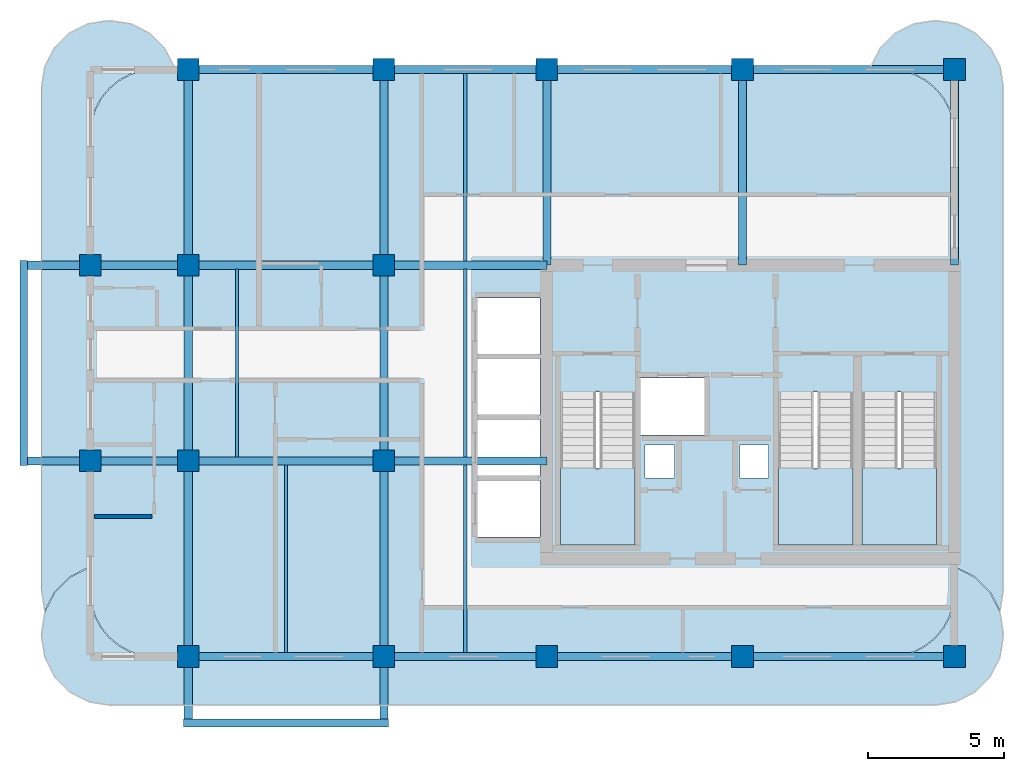
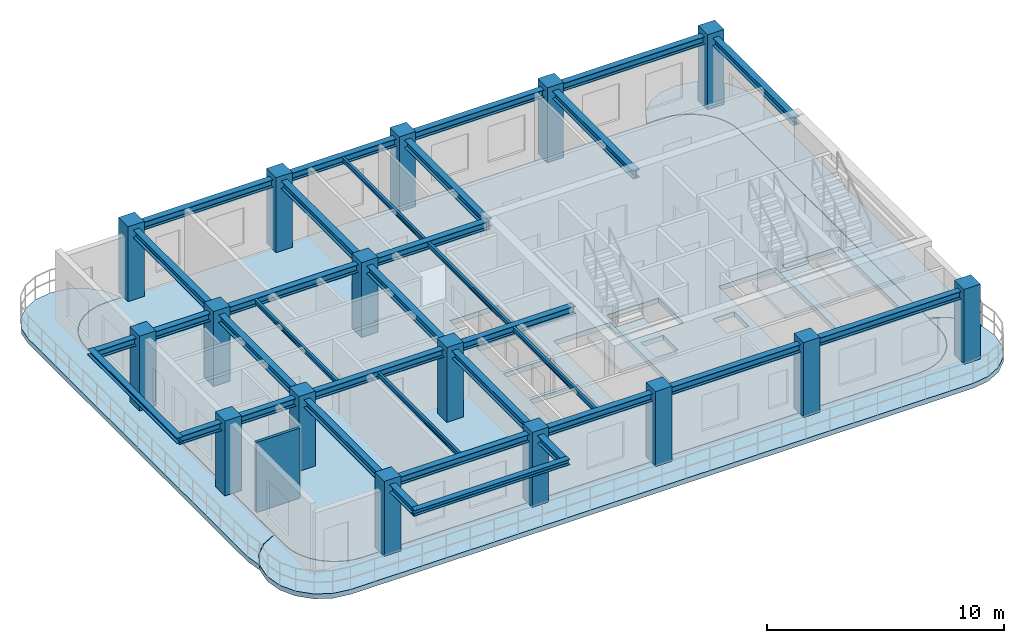
# One storey, part 1 of 7: 28 beams, 16 columns, 7 slabs, 1 wall, 3 elements without a shape of their own.
"""IFC4 building model written with IfcOpenShell, lengths in metres."""

from ifc_helpers import new_model, si_unit, derived_unit, direction, frame, frame_2d, origin, origin_2d, place, context, subcontext, project, spatial, polyline, rectangle, i_section, outline, extrude, source, transform, mapped, material, layer, layer_set, material_profile, profile_set, type_object, type_shapes, element, aggregate, save


model = new_model("IFC4")

# Units and contexts
model_context = context("Model", 3, precision=1e-05, world=origin(), true_north=direction((0.0, 1.0)))
body_context = subcontext(model_context, "Body", "Model", "MODEL_VIEW")
ifc_project = project(units=[si_unit("LENGTHUNIT", "METRE"), si_unit("AREAUNIT", "SQUARE_METRE"), si_unit("VOLUMEUNIT", "CUBIC_METRE"), si_unit("PLANEANGLEUNIT", "RADIAN"), si_unit("MASSUNIT", "GRAM", prefix="KILO"), si_unit("THERMODYNAMICTEMPERATUREUNIT", "KELVIN"), si_unit("POWERUNIT", "WATT"), derived_unit("THERMALTRANSMITTANCEUNIT", [(si_unit("POWERUNIT", "WATT"), 1), (si_unit("AREAUNIT", "SQUARE_METRE"), -1), (si_unit("THERMODYNAMICTEMPERATUREUNIT", "KELVIN"), -1)])], contexts=[model_context])

# Site, building, storey
site_placement = place(None, origin())
site = spatial("IfcSite", under=ifc_project, at=site_placement, CompositionType="ELEMENT")
building_placement = place(site_placement, origin())
building = spatial("IfcBuilding", under=site, at=building_placement, Name="Zahravan Archway Hotel and Residences", CompositionType="ELEMENT")
storey_placement = place(building_placement, frame((0.0, 0.0, 259.64990234375)))
storey = spatial("IfcBuildingStorey", under=building, at=storey_placement, Name="L65", CompositionType="ELEMENT", Elevation=259.64990234375)

# Columns
ifc_material_1 = material(Name="Concrete C50/60", Category="concrete")
ifc_material_profile_1 = material_profile(ifc_material_1, rectangle(XDim=0.800048828125, YDim=0.800048828125, at=origin_2d()), Name="RC-COL-800x800", Category="concrete")
ifc_profile_set_1 = profile_set([ifc_material_profile_1], Name="Concrete C50/60")
column_type = type_object("IfcColumnType", Name="COL-RC-800", PredefinedType="COLUMN", material=ifc_profile_set_1)
shared_shape_1 = source(origin(), body_context, "Body", "SweptSolid", [
    extrude(rectangle(XDim=0.800048828125, YDim=0.800048828125, at=origin_2d()), origin(), (0.0, 0.0, 1.0), 3.85009765625),
])
for number, where, z_axis, x_axis, name in (
    (1, (21.60009765625, 0.0, 0.0), (0.0, 0.0, 1.0), (1.0, 0.0, 0.0), "L65 Column 4-A"),
    (2, (21.60009765625, 7.199951171875, 0.0), (0.0, 0.0, 1.0), (1.0, 0.0, 0.0), "L65 Column 4-B"),
    (3, (21.60009765625, 14.39990234375, 0.0), (0.0, 0.0, 1.0), (1.0, 0.0, 0.0), "L65 Column 4-C"),
    (4, (21.60009765625, 21.60009765625, 0.0), (0.0, 0.0, 1.0), (1.0, 0.0, 0.0), "L65 Column 4-D"),
    (5, (28.800048828125, 0.0, 0.0), (0.0, 0.0, 1.0), (1.0, 0.0, 0.0), "L65 Column 5-A"),
    (6, (28.800048828125, 7.199951171875, 0.0), (0.0, 0.0, 1.0), (1.0, 0.0, 0.0), "L65 Column 5-B"),
    (7, (28.800048828125, 14.39990234375, 0.0), (0.0, 0.0, 1.0), (1.0, 0.0, 0.0), "L65 Column 5-C"),
    (8, (28.800048828125, 21.60009765625, 0.0), (0.0, 0.0, 1.0), (1.0, 0.0, 0.0), "L65 Column 5-D"),
    (9, (34.800048828125, 0.0, 0.0), (0.0, 0.0, 1.0), (1.0, 0.0, 0.0), "L65 Column 6-A"),
    (10, (34.800048828125, 21.60009765625, 0.0), (0.0, 0.0, 1.0), (1.0, 0.0, 0.0), "L65 Column 6-D"),
    (11, (42.0, 0.0, 0.0), (0.0, 0.0, 1.0), (1.0, 0.0, 0.0), "L65 Column 7-A"),
    (12, (42.0, 21.60009765625, 0.0), (0.0, 0.0, 1.0), (1.0, 0.0, 0.0), "L65 Column 7-D"),
    (13, (49.800048828125, 0.0, 0.0), (0.0, 0.0, 1.0), (1.0, 0.0, 0.0), "L65 Column 8-A"),
    (14, (49.800048828125, 21.60009765625, 0.0), (0.0, 0.0, 1.0), (1.0, 0.0, 0.0), "L65 Column 8-D"),
    (15, (18.0, 7.199951171875, 0.0), (0.0, 0.0, 1.0), (1.0, 0.0, 0.0), "L65 Column 3W-B"),
    (16, (18.0, 14.39990234375, 0.0), (0.0, 0.0, 1.0), (1.0, 0.0, 0.0), "L65 Column 3W-C"),
):
    element("IfcColumn", number, at=place(storey_placement, frame(where, z_axis=z_axis, x_axis=x_axis)), inside=storey, type_object=column_type, Name=name, PredefinedType="COLUMN", context=body_context, shape_type="MappedRepresentation", body=[
        mapped(shared_shape_1, transform((0.0, 0.0, 0.0), scale=1.0)),
    ])

# Beams
ifc_material_2 = material(Name="Structural Steel S355JR", Category="steel")
ifc_material_profile_2 = material_profile(ifc_material_2, i_section(OverallWidth=0.280029296875, OverallDepth=0.280029296875, WebThickness=0.010498046875, FlangeThickness=0.01806640625, FilletRadius=0.02392578125, at=origin_2d()), Name="HEB 280", Category="steel")
ifc_profile_set_2 = profile_set([ifc_material_profile_2], Name="Structural Steel S355JR")
beam_type_1 = type_object("IfcBeamType", Name="BM-SPN-HEB280", PredefinedType="SPANDREL", material=ifc_profile_set_2)
shared_shape_2 = source(origin(), body_context, "Body", "SweptSolid", [
    extrude(i_section(OverallWidth=0.280029296875, OverallDepth=0.280029296875, WebThickness=0.010498046875, FlangeThickness=0.01806640625, FilletRadius=0.02392578125, at=origin_2d()), origin(), (0.0, 0.0, 1.0), 7.56005859375),
])
type_shapes(beam_type_1, [shared_shape_2])
for number, where, z_axis, x_axis, name in (
    (17, (15.550048828125, 7.02001953125, 3.460205078125), (0.0, 1.0, 0.0), (-1.0, 0.0, 0.0), "L66 WA Balcony Edge Spandrel"),
    (18, (21.419921875, -2.449951171875, 3.460205078125), (1.0, 0.0, 0.0), (0.0, 1.0, 0.0), "L66 SA Balcony Edge Spandrel"),
):
    element("IfcBeam", number, at=place(storey_placement, frame(where, z_axis=z_axis, x_axis=x_axis)), inside=storey, type_object=beam_type_1, Name=name, PredefinedType="SPANDREL", context=body_context, shape_type="MappedRepresentation", body=[
        mapped(shared_shape_2, transform((0.0, 0.0, 0.0), scale=1.0)),
    ])
ifc_material_profile_3 = material_profile(ifc_material_2, i_section(OverallWidth=0.300048828125, OverallDepth=0.39990234375, WebThickness=0.013427734375, FlangeThickness=0.02392578125, FilletRadius=0.027099609375, at=origin_2d()), Name="HEB 400", Category="steel")
ifc_profile_set_3 = profile_set([ifc_material_profile_3], Name="Structural Steel S355JR")
beam_type_2 = type_object("IfcBeamType", Name="BM-PRI-HEB400", PredefinedType="BEAM", material=ifc_profile_set_3)
shared_shape_3 = source(origin(), body_context, "Body", "SweptSolid", [
    extrude(i_section(OverallWidth=0.300048828125, OverallDepth=0.39990234375, WebThickness=0.013427734375, FlangeThickness=0.02392578125, FilletRadius=0.027099609375, at=origin_2d()), origin(), (0.0, 0.0, 1.0), 7.199951171875),
])
type_shapes(beam_type_2, [shared_shape_3])
for number, where, z_axis, x_axis, name in (
    (19, (21.60009765625, 0.0, 3.400146484375), (1.0, 0.0, 0.0), (0.0, 1.0, 0.0), "L65 Primary Girder EW-01"),
    (20, (34.800048828125, 0.0, 3.400146484375), (1.0, 0.0, 0.0), (0.0, 1.0, 0.0), "L65 Primary Girder EW-03"),
    (21, (21.60009765625, 21.60009765625, 3.400146484375), (1.0, 0.0, 0.0), (0.0, 1.0, 0.0), "L65 Primary Girder EW-09"),
    (22, (34.800048828125, 21.60009765625, 3.400146484375), (1.0, 0.0, 0.0), (0.0, 1.0, 0.0), "L65 Primary Girder EW-11"),
    (23, (21.60009765625, 7.199951171875, 3.400146484375), (0.0, 1.0, 0.0), (-1.0, 0.0, 0.0), "L65 Primary Girder NS-14"),
    (24, (28.800048828125, 7.199951171875, 3.400146484375), (0.0, 1.0, 0.0), (-1.0, 0.0, 0.0), "L65 Primary Girder NS-17"),
):
    element("IfcBeam", number, at=place(storey_placement, frame(where, z_axis=z_axis, x_axis=x_axis)), inside=storey, type_object=beam_type_2, Name=name, PredefinedType="BEAM", context=body_context, shape_type="MappedRepresentation", body=[
        mapped(shared_shape_3, transform((0.0, 0.0, 0.0), scale=1.0)),
    ])
shared_shape_4 = source(origin(), body_context, "Body", "SweptSolid", [
    extrude(i_section(OverallWidth=0.300048828125, OverallDepth=0.39990234375, WebThickness=0.013427734375, FlangeThickness=0.02392578125, FilletRadius=0.027099609375, at=origin_2d()), origin(), (0.0, 0.0, 1.0), 6.0),
])
for number, where, z_axis, x_axis, name in (
    (25, (28.800048828125, 0.0, 3.400146484375), (1.0, 0.0, 0.0), (0.0, 1.0, 0.0), "L65 Primary Girder EW-02"),
    (26, (28.800048828125, 7.199951171875, 3.400146484375), (1.0, 0.0, 0.0), (0.0, 1.0, 0.0), "L65 Primary Girder EW-06"),
    (27, (28.800048828125, 14.39990234375, 3.400146484375), (1.0, 0.0, 0.0), (0.0, 1.0, 0.0), "L65 Primary Girder EW-08"),
    (28, (28.800048828125, 21.60009765625, 3.400146484375), (1.0, 0.0, 0.0), (0.0, 1.0, 0.0), "L65 Primary Girder EW-10"),
):
    element("IfcBeam", number, at=place(storey_placement, frame(where, z_axis=z_axis, x_axis=x_axis)), inside=storey, type_object=beam_type_2, Name=name, PredefinedType="BEAM", context=body_context, shape_type="MappedRepresentation", body=[
        mapped(shared_shape_4, transform((0.0, 0.0, 0.0), scale=1.0)),
    ])
shared_shape_5 = source(origin(), body_context, "Body", "SweptSolid", [
    extrude(i_section(OverallWidth=0.300048828125, OverallDepth=0.39990234375, WebThickness=0.013427734375, FlangeThickness=0.02392578125, FilletRadius=0.027099609375, at=origin_2d()), origin(), (0.0, 0.0, 1.0), 7.800048828125),
])
for number, where, z_axis, x_axis, name in (
    (29, (42.0, 0.0, 3.400146484375), (1.0, 0.0, 0.0), (0.0, 1.0, 0.0), "L65 Primary Girder EW-04"),
    (30, (42.0, 21.60009765625, 3.400146484375), (1.0, 0.0, 0.0), (0.0, 1.0, 0.0), "L65 Primary Girder EW-12"),
):
    element("IfcBeam", number, at=place(storey_placement, frame(where, z_axis=z_axis, x_axis=x_axis)), inside=storey, type_object=beam_type_2, Name=name, PredefinedType="BEAM", context=body_context, shape_type="MappedRepresentation", body=[
        mapped(shared_shape_5, transform((0.0, 0.0, 0.0), scale=1.0)),
    ])
shared_shape_6 = source(origin(), body_context, "Body", "SweptSolid", [
    extrude(i_section(OverallWidth=0.300048828125, OverallDepth=0.39990234375, WebThickness=0.013427734375, FlangeThickness=0.02392578125, FilletRadius=0.027099609375, at=origin_2d()), origin(), (0.0, 0.0, 1.0), 13.25),
])
for number, where, z_axis, x_axis, name in (
    (31, (15.550048828125, 7.199951171875, 3.400146484375), (1.0, 0.0, 0.0), (0.0, 1.0, 0.0), "L65 Primary Girder EW-05"),
    (32, (15.550048828125, 14.39990234375, 3.400146484375), (1.0, 0.0, 0.0), (0.0, 1.0, 0.0), "L65 Primary Girder EW-07"),
):
    element("IfcBeam", number, at=place(storey_placement, frame(where, z_axis=z_axis, x_axis=x_axis)), inside=storey, type_object=beam_type_2, Name=name, PredefinedType="BEAM", context=body_context, shape_type="MappedRepresentation", body=[
        mapped(shared_shape_6, transform((0.0, 0.0, 0.0), scale=1.0)),
    ])
shared_shape_7 = source(origin(), body_context, "Body", "SweptSolid", [
    extrude(i_section(OverallWidth=0.300048828125, OverallDepth=0.39990234375, WebThickness=0.013427734375, FlangeThickness=0.02392578125, FilletRadius=0.027099609375, at=origin_2d()), origin(), (0.0, 0.0, 1.0), 9.64990234375),
])
for number, where, z_axis, x_axis, name in (
    (33, (21.60009765625, -2.449951171875, 3.400146484375), (0.0, 1.0, 0.0), (-1.0, 0.0, 0.0), "L65 Primary Girder NS-13"),
    (34, (28.800048828125, -2.449951171875, 3.400146484375), (0.0, 1.0, 0.0), (-1.0, 0.0, 0.0), "L65 Primary Girder NS-16"),
):
    element("IfcBeam", number, at=place(storey_placement, frame(where, z_axis=z_axis, x_axis=x_axis)), inside=storey, type_object=beam_type_2, Name=name, PredefinedType="BEAM", context=body_context, shape_type="MappedRepresentation", body=[
        mapped(shared_shape_7, transform((0.0, 0.0, 0.0), scale=1.0)),
    ])
shared_shape_8 = source(origin(), body_context, "Body", "SweptSolid", [
    extrude(i_section(OverallWidth=0.300048828125, OverallDepth=0.39990234375, WebThickness=0.013427734375, FlangeThickness=0.02392578125, FilletRadius=0.027099609375, at=origin_2d()), origin(), (0.0, 0.0, 1.0), 7.2001953125),
])
for number, where, z_axis, x_axis, name in (
    (35, (21.60009765625, 14.39990234375, 3.400146484375), (0.0, 1.0, 0.0), (-1.0, 0.0, 0.0), "L65 Primary Girder NS-15"),
    (36, (28.800048828125, 14.39990234375, 3.400146484375), (0.0, 1.0, 0.0), (-1.0, 0.0, 0.0), "L65 Primary Girder NS-18"),
    (37, (34.800048828125, 14.39990234375, 3.400146484375), (0.0, 1.0, 0.0), (-1.0, 0.0, 0.0), "L65 Primary Girder NS-19"),
    (38, (42.0, 14.39990234375, 3.400146484375), (0.0, 1.0, 0.0), (-1.0, 0.0, 0.0), "L65 Primary Girder NS-20"),
    (39, (49.800048828125, 14.39990234375, 3.400146484375), (0.0, 1.0, 0.0), (-1.0, 0.0, 0.0), "L65 Primary Girder NS-21"),
):
    element("IfcBeam", number, at=place(storey_placement, frame(where, z_axis=z_axis, x_axis=x_axis)), inside=storey, type_object=beam_type_2, Name=name, PredefinedType="BEAM", context=body_context, shape_type="MappedRepresentation", body=[
        mapped(shared_shape_8, transform((0.0, 0.0, 0.0), scale=1.0)),
    ])
ifc_material_profile_4 = material_profile(ifc_material_2, i_section(OverallWidth=0.1201171875, OverallDepth=0.239990234375, WebThickness=0.006103515625, FlangeThickness=0.009765625, FilletRadius=0.014892578125, at=origin_2d()), Name="IPE 240", Category="steel")
ifc_profile_set_4 = profile_set([ifc_material_profile_4], Name="Structural Steel S355JR")
beam_type_3 = type_object("IfcBeamType", Name="BM-JST-IPE240", PredefinedType="JOIST", material=ifc_profile_set_4)
shared_shape_9 = source(origin(), body_context, "Body", "SweptSolid", [
    extrude(i_section(OverallWidth=0.1201171875, OverallDepth=0.239990234375, WebThickness=0.006103515625, FlangeThickness=0.009765625, FilletRadius=0.014892578125, at=origin_2d()), origin(), (0.0, 0.0, 1.0), 6.904052734375),
])
type_shapes(beam_type_3, [shared_shape_9])
for number, where, z_axis, x_axis, name in (
    (40, (25.199951171875, 0.14794921875, 3.47998046875), (0.0, 1.0, 0.0), (-1.0, 0.0, 0.0), "L65 Composite Floor Joist 01"),
    (41, (31.800048828125, 0.14794921875, 3.47998046875), (0.0, 1.0, 0.0), (-1.0, 0.0, 0.0), "L65 Composite Floor Joist 02"),
    (42, (23.39990234375, 7.347900390625, 3.47998046875), (0.0, 1.0, 0.0), (-1.0, 0.0, 0.0), "L65 Composite Floor Joist 03"),
    (43, (31.800048828125, 7.347900390625, 3.47998046875), (0.0, 1.0, 0.0), (-1.0, 0.0, 0.0), "L65 Composite Floor Joist 04"),
):
    element("IfcBeam", number, at=place(storey_placement, frame(where, z_axis=z_axis, x_axis=x_axis)), inside=storey, type_object=beam_type_3, Name=name, PredefinedType="JOIST", context=body_context, shape_type="MappedRepresentation", body=[
        mapped(shared_shape_9, transform((0.0, 0.0, 0.0), scale=1.0)),
    ])
shared_shape_10 = source(origin(), body_context, "Body", "SweptSolid", [
    extrude(i_section(OverallWidth=0.1201171875, OverallDepth=0.239990234375, WebThickness=0.006103515625, FlangeThickness=0.009765625, FilletRadius=0.014892578125, at=origin_2d()), origin(), (0.0, 0.0, 1.0), 6.90380859375),
])
beam_placement = place(storey_placement, frame((31.800048828125, 14.548095703125, 3.47998046875), z_axis=(0.0, 1.0, 0.0), x_axis=(-1.0, 0.0, 0.0)))
element("IfcBeam", 44, at=beam_placement, inside=storey, type_object=beam_type_3, Name="L65 Composite Floor Joist 05", PredefinedType="JOIST", context=body_context, shape_type="MappedRepresentation", body=[
    mapped(shared_shape_10, transform((0.0, 0.0, 0.0), scale=1.0)),
])

# Slabs
ifc_material_3 = material(Name="Concrete C45/55", Category="concrete")
ifc_layer_1 = layer(ifc_material_3, 0.25, Name="Concrete C45/55", Category="concrete")
ifc_layer_set_1 = layer_set([ifc_layer_1], Name="Concrete C45/55")
slab_type_1 = type_object("IfcSlabType", Name="SLB-BALC-250", PredefinedType="FLOOR", material=ifc_layer_set_1)
slab_1_placement = place(storey_placement, frame((0.0, 0.0, -0.25)))
element("IfcSlab", 45, at=slab_1_placement, inside=storey, type_object=slab_type_1, Name="L65 Wing A South Rounded Balcony Band", PredefinedType="FLOOR", context=body_context, shape_type="SweptSolid", body=[
    extrude(outline(polyline([(49.837890625, 3.275146484375), (50.548828125, 2.9130859375), (51.113037109375, 2.348876953125), (51.47509765625, 1.637939453125), (51.60009765625, 0.85009765625), (51.60009765625, 0.75), (51.47509765625, -0.0380859375), (51.113037109375, -0.748779296875), (50.548828125, -1.31298828125), (49.837890625, -1.67529296875), (49.050048828125, -1.800048828125), (18.75, -1.800048828125), (17.9619140625, -1.67529296875), (17.251220703125, -1.31298828125), (16.68701171875, -0.748779296875), (16.32470703125, -0.0380859375), (16.199951171875, 0.75), (16.199951171875, 0.85009765625), (16.32470703125, 1.637939453125), (16.68701171875, 2.348876953125), (17.251220703125, 2.9130859375), (17.9619140625, 3.275146484375), (17.97998046875, 3.278076171875), (17.97998046875, 2.39990234375), (17.97998046875, 2.39794921875), (18.026123046875, 1.9296875), (18.026611328125, 1.927978515625), (18.027099609375, 1.926025390625), (18.16357421875, 1.475830078125), (18.164306640625, 1.473876953125), (18.1650390625, 1.47216796875), (18.386962890625, 1.05712890625), (18.387939453125, 1.055419921875), (18.388916015625, 1.053955078125), (18.6875, 0.690185546875), (18.688720703125, 0.688720703125), (18.690185546875, 0.6875), (19.053955078125, 0.388916015625), (19.055419921875, 0.387939453125), (19.05712890625, 0.386962890625), (19.47216796875, 0.1650390625), (19.473876953125, 0.164306640625), (19.475830078125, 0.16357421875), (19.926025390625, 0.027099609375), (19.927978515625, 0.026611328125), (19.9296875, 0.026123046875), (20.39794921875, -0.02001953125), (20.39990234375, -0.02001953125), (47.39990234375, -0.02001953125), (47.402099609375, -0.02001953125), (47.8701171875, 0.026123046875), (47.8720703125, 0.026611328125), (47.8740234375, 0.027099609375), (48.32421875, 0.16357421875), (48.326171875, 0.164306640625), (48.327880859375, 0.1650390625), (48.742919921875, 0.386962890625), (48.744384765625, 0.387939453125), (48.74609375, 0.388916015625), (49.10986328125, 0.6875), (49.111083984375, 0.688720703125), (49.112548828125, 0.690185546875), (49.410888671875, 1.053955078125), (49.412109375, 1.055419921875), (49.4130859375, 1.05712890625), (49.635009765625, 1.47216796875), (49.6357421875, 1.473876953125), (49.636474609375, 1.475830078125), (49.77294921875, 1.926025390625), (49.7734375, 1.927978515625), (49.773681640625, 1.9296875), (49.81982421875, 2.39794921875), (49.820068359375, 2.39990234375), (49.820068359375, 3.278076171875), (49.837890625, 3.275146484375)])), origin(), (0.0, 0.0, 1.0), 0.25),
])
slab_2_placement = place(storey_placement, frame((0.0, 0.0, -0.25)))
element("IfcSlab", 46, at=slab_2_placement, inside=storey, type_object=slab_type_1, Name="L65 Wing A East Rounded Balcony Band", PredefinedType="FLOOR", context=body_context, shape_type="SweptSolid", body=[
    extrude(outline(polyline([(46.719970703125, 21.70703125), (47.06787109375, 22.39013671875), (47.60986328125, 22.93212890625), (48.29296875, 23.280029296875), (49.050048828125, 23.39990234375), (49.14990234375, 23.39990234375), (49.906982421875, 23.280029296875), (50.590087890625, 22.93212890625), (51.132080078125, 22.39013671875), (51.47998046875, 21.70703125), (51.60009765625, 20.949951171875), (51.60009765625, 2.449951171875), (51.47998046875, 1.69287109375), (51.474853515625, 1.6826171875), (51.130859375, 2.35791015625), (51.1298828125, 2.35986328125), (51.12841796875, 2.361572265625), (51.127197265625, 2.363037109375), (50.56298828125, 2.927001953125), (50.5615234375, 2.928466796875), (50.559814453125, 2.9296875), (50.55810546875, 2.930908203125), (49.84716796875, 3.29296875), (49.84521484375, 3.2939453125), (49.84326171875, 3.29443359375), (49.841064453125, 3.294921875), (49.822998046875, 3.2978515625), (49.8212890625, 3.298095703125), (49.820068359375, 3.298095703125), (49.820068359375, 19.199951171875), (49.81982421875, 19.201904296875), (49.773681640625, 19.670166015625), (49.7734375, 19.672119140625), (49.77294921875, 19.674072265625), (49.636474609375, 20.124267578125), (49.6357421875, 20.126220703125), (49.635009765625, 20.127685546875), (49.4130859375, 20.542724609375), (49.412109375, 20.54443359375), (49.410888671875, 20.546142578125), (49.112548828125, 20.909912109375), (49.111083984375, 20.9111328125), (49.10986328125, 20.91259765625), (48.74609375, 21.2109375), (48.744384765625, 21.212158203125), (48.742919921875, 21.213134765625), (48.327880859375, 21.434814453125), (48.326171875, 21.435791015625), (48.32421875, 21.436279296875), (47.8740234375, 21.572998046875), (47.8720703125, 21.573486328125), (47.8701171875, 21.57373046875), (47.402099609375, 21.619873046875), (47.39990234375, 21.6201171875), (46.7060546875, 21.6201171875), (46.719970703125, 21.70703125)])), origin(), (0.0, 0.0, 1.0), 0.25),
])
slab_3_placement = place(storey_placement, frame((0.0, 0.0, -0.25)))
element("IfcSlab", 47, at=slab_3_placement, inside=storey, type_object=slab_type_1, Name="L65 Wing A West Rounded Balcony Band", PredefinedType="FLOOR", context=body_context, shape_type="SweptSolid", body=[
    extrude(outline(polyline([(16.31982421875, 1.69287109375), (16.199951171875, 2.449951171875), (16.199951171875, 20.949951171875), (16.31982421875, 21.70703125), (16.66796875, 22.39013671875), (17.2099609375, 22.93212890625), (17.892822265625, 23.280029296875), (18.64990234375, 23.39990234375), (18.75, 23.39990234375), (19.507080078125, 23.280029296875), (20.190185546875, 22.93212890625), (20.732177734375, 22.39013671875), (21.080078125, 21.70703125), (21.093994140625, 21.6201171875), (20.39990234375, 21.6201171875), (20.39794921875, 21.619873046875), (19.9296875, 21.57373046875), (19.927978515625, 21.573486328125), (19.926025390625, 21.572998046875), (19.475830078125, 21.436279296875), (19.473876953125, 21.435791015625), (19.47216796875, 21.434814453125), (19.05712890625, 21.213134765625), (19.055419921875, 21.212158203125), (19.053955078125, 21.2109375), (18.690185546875, 20.91259765625), (18.688720703125, 20.9111328125), (18.6875, 20.909912109375), (18.388916015625, 20.546142578125), (18.387939453125, 20.54443359375), (18.386962890625, 20.542724609375), (18.1650390625, 20.127685546875), (18.164306640625, 20.126220703125), (18.16357421875, 20.124267578125), (18.027099609375, 19.674072265625), (18.026611328125, 19.672119140625), (18.026123046875, 19.670166015625), (17.97998046875, 19.201904296875), (17.97998046875, 19.199951171875), (17.97998046875, 3.298095703125), (17.978759765625, 3.298095703125), (17.976806640625, 3.2978515625), (17.958984375, 3.294921875), (17.956787109375, 3.29443359375), (17.954833984375, 3.2939453125), (17.952880859375, 3.29296875), (17.241943359375, 2.930908203125), (17.240234375, 2.9296875), (17.238525390625, 2.928466796875), (17.237060546875, 2.927001953125), (16.6728515625, 2.363037109375), (16.67138671875, 2.361572265625), (16.670166015625, 2.35986328125), (16.669189453125, 2.35791015625), (16.3251953125, 1.6826171875), (16.31982421875, 1.69287109375)])), origin(), (0.0, 0.0, 1.0), 0.25),
])
ifc_layer_2 = layer(ifc_material_3, 0.25, Name="Concrete C45/55", Category="concrete")
ifc_layer_set_2 = layer_set([ifc_layer_2], Name="Concrete C45/55")
slab_type_2 = type_object("IfcSlabType", Name="SLB-FLR-250", PredefinedType="FLOOR", material=ifc_layer_set_2)
slab_4_placement = place(storey_placement, frame((0.0, 0.0, -0.25)))
element("IfcSlab", 48, at=slab_4_placement, inside=storey, type_object=slab_type_2, Name="L65 Floor Slab WA", PredefinedType="FLOOR", context=body_context, shape_type="SweptSolid", body=[
    extrude(outline(polyline([(47.39990234375, 0.0), (47.8681640625, 0.046142578125), (48.318359375, 0.1826171875), (48.7333984375, 0.404541015625), (49.09716796875, 0.702880859375), (49.3955078125, 1.066650390625), (49.6171875, 1.481689453125), (49.75390625, 1.931884765625), (49.800048828125, 2.39990234375), (49.800048828125, 19.199951171875), (49.75390625, 19.668212890625), (49.6171875, 20.118408203125), (49.3955078125, 20.533447265625), (49.09716796875, 20.897216796875), (48.7333984375, 21.195556640625), (48.318359375, 21.417236328125), (47.8681640625, 21.553955078125), (47.39990234375, 21.60009765625), (20.39990234375, 21.60009765625), (19.931884765625, 21.553955078125), (19.481689453125, 21.417236328125), (19.066650390625, 21.195556640625), (18.702880859375, 20.897216796875), (18.404541015625, 20.533447265625), (18.1826171875, 20.118408203125), (18.046142578125, 19.668212890625), (18.0, 19.199951171875), (18.0, 2.39990234375), (18.046142578125, 1.931884765625), (18.1826171875, 1.481689453125), (18.404541015625, 1.066650390625), (18.702880859375, 0.702880859375), (19.066650390625, 0.404541015625), (19.481689453125, 0.1826171875), (19.931884765625, 0.046142578125), (20.39990234375, 0.0), (47.39990234375, 0.0)]), holes=[polyline([(35.300048828125, 9.72998046875), (35.300048828125, 4.10009765625), (38.0400390625, 4.10009765625), (38.0400390625, 9.72998046875), (35.300048828125, 9.72998046875)]), polyline([(43.320068359375, 9.72998046875), (43.320068359375, 4.10009765625), (46.06005859375, 4.10009765625), (46.06005859375, 9.72998046875), (43.320068359375, 9.72998046875)]), polyline([(46.39990234375, 9.72998046875), (46.39990234375, 4.10009765625), (49.139892578125, 4.10009765625), (49.139892578125, 9.72998046875), (46.39990234375, 9.72998046875)]), polyline([(38.179931640625, 8.14990234375), (40.699951171875, 8.14990234375), (40.699951171875, 10.25), (38.179931640625, 10.25), (38.179931640625, 8.14990234375)]), polyline([(32.25, 4.39990234375), (34.550048828125, 4.39990234375), (34.550048828125, 6.47998046875), (32.25, 6.47998046875), (32.25, 4.39990234375)]), polyline([(32.25, 6.639892578125), (34.550048828125, 6.639892578125), (34.550048828125, 8.719970703125), (32.25, 8.719970703125), (32.25, 6.639892578125)]), polyline([(32.25, 8.8798828125), (34.550048828125, 8.8798828125), (34.550048828125, 10.9599609375), (32.25, 10.9599609375), (32.25, 8.8798828125)]), polyline([(32.25, 11.1201171875), (34.550048828125, 11.1201171875), (34.550048828125, 13.199951171875), (32.25, 13.199951171875), (32.25, 11.1201171875)]), polyline([(38.419921875, 6.56005859375), (39.5, 6.56005859375), (39.5, 7.780029296875), (38.419921875, 7.780029296875), (38.419921875, 6.56005859375)]), polyline([(41.89990234375, 6.56005859375), (42.9599609375, 6.56005859375), (42.9599609375, 7.780029296875), (41.89990234375, 7.780029296875), (41.89990234375, 6.56005859375)])]), origin(), (0.0, 0.0, 1.0), 0.25),
])

# Stair, slab
stair_type = type_object("IfcStairType", Name="STR-CORE-1300", PredefinedType="HALF_TURN_STAIR", material=ifc_material_1)
stair_1_placement = place(storey_placement, origin())
stair_1 = element("IfcStair", 49, at=stair_1_placement, inside=storey, type_object=stair_type, Name="L65 Core A Exit Stair 1", PredefinedType="HALF_TURN_STAIR")
ifc_layer_3 = layer(ifc_material_1, 0.199951171875, Name="Concrete C50/60", Category="concrete")
ifc_layer_set_3 = layer_set([ifc_layer_3], Name="Concrete C50/60")
slab_type_3 = type_object("IfcSlabType", Name="SLB-LND-200", PredefinedType="LANDING", material=ifc_layer_set_3)
slab_5_placement = place(storey_placement, frame((0.0, 0.0, 1.72509765625)))
slab_5 = element("IfcSlab", 50, at=slab_5_placement, type_object=slab_type_3, Name="ST-A1 landing 1", PredefinedType="LANDING", context=body_context, shape_type="SweptSolid", body=[
    extrude(outline(polyline([(35.300048828125, 6.929931640625), (35.300048828125, 4.10009765625), (38.0400390625, 4.10009765625), (38.0400390625, 6.929931640625), (35.300048828125, 6.929931640625)])), origin(), (0.0, 0.0, 1.0), 0.199951171875),
])
aggregate(stair_1, [slab_5])

stair_2_placement = place(storey_placement, origin())
stair_2 = element("IfcStair", 51, at=stair_2_placement, inside=storey, type_object=stair_type, Name="L65 Core A Exit Stair 2", PredefinedType="HALF_TURN_STAIR")
slab_6_placement = place(storey_placement, frame((0.0, 0.0, 1.72509765625)))
slab_6 = element("IfcSlab", 52, at=slab_6_placement, type_object=slab_type_3, Name="ST-A2 landing 1", PredefinedType="LANDING", context=body_context, shape_type="SweptSolid", body=[
    extrude(outline(polyline([(43.320068359375, 6.929931640625), (43.320068359375, 4.10009765625), (46.06005859375, 4.10009765625), (46.06005859375, 6.929931640625), (43.320068359375, 6.929931640625)])), origin(), (0.0, 0.0, 1.0), 0.199951171875),
])
aggregate(stair_2, [slab_6])

stair_3_placement = place(storey_placement, origin())
stair_3 = element("IfcStair", 53, at=stair_3_placement, inside=storey, type_object=stair_type, Name="L65 Core A Exit Stair 3", PredefinedType="HALF_TURN_STAIR")
slab_7_placement = place(storey_placement, frame((0.0, 0.0, 1.72509765625)))
slab_7 = element("IfcSlab", 54, at=slab_7_placement, type_object=slab_type_3, Name="ST-A3 landing 1", PredefinedType="LANDING", context=body_context, shape_type="SweptSolid", body=[
    extrude(outline(polyline([(46.39990234375, 6.929931640625), (46.39990234375, 4.10009765625), (49.139892578125, 4.10009765625), (49.139892578125, 6.929931640625), (46.39990234375, 6.929931640625)])), origin(), (0.0, 0.0, 1.0), 0.199951171875),
])
aggregate(stair_3, [slab_7])

# Wall
ifc_material_4 = material(Name="Moisture-Resistant Blockwork", Category="masonry")
ifc_layer_4 = layer(ifc_material_4, 0.139892578125, Name="Moisture-Resistant Blockwork", Category="masonry")
ifc_layer_set_4 = layer_set([ifc_layer_4], Name="Moisture-Resistant Blockwork")
wall_type = type_object("IfcWallType", Name="PW-WET-140", PredefinedType="PARTITIONING", material=ifc_layer_set_4)
wall_placement = place(storey_placement, frame((18.14794921875, 5.14990234375, 0.0), z_axis=(0.0, 0.0, 1.0), x_axis=(1.0, 0.0, 0.0)))
element("IfcWall", 55, at=wall_placement, inside=storey, type_object=wall_type, Name="L65 Partition FL-S1-KH", PredefinedType="PARTITIONING", context=body_context, shape_type="SweptSolid", body=[
    extrude(rectangle(XDim=2.112060546875, YDim=0.139892578125, at=frame_2d((1.05615234375, 0.0))), origin(), (0.0, 0.0, 1.0), 3.60009765625),
])

save(model, "model.ifc")
